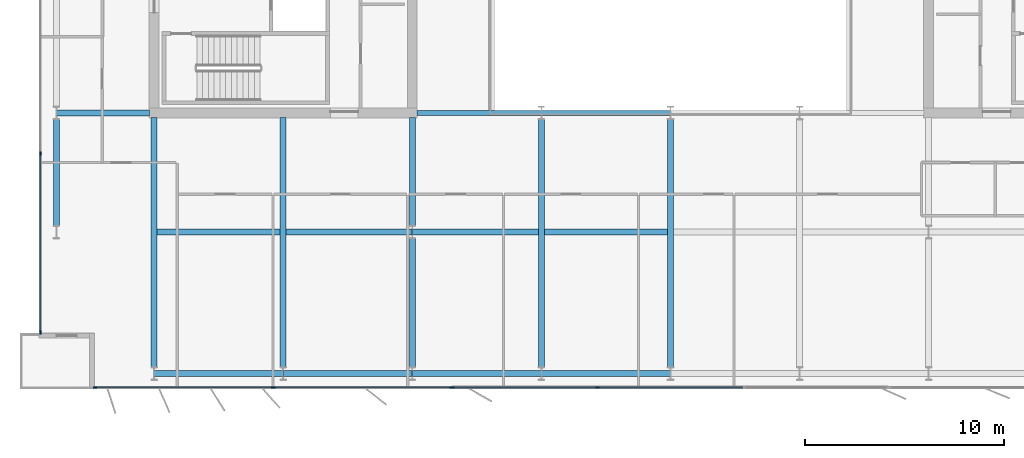
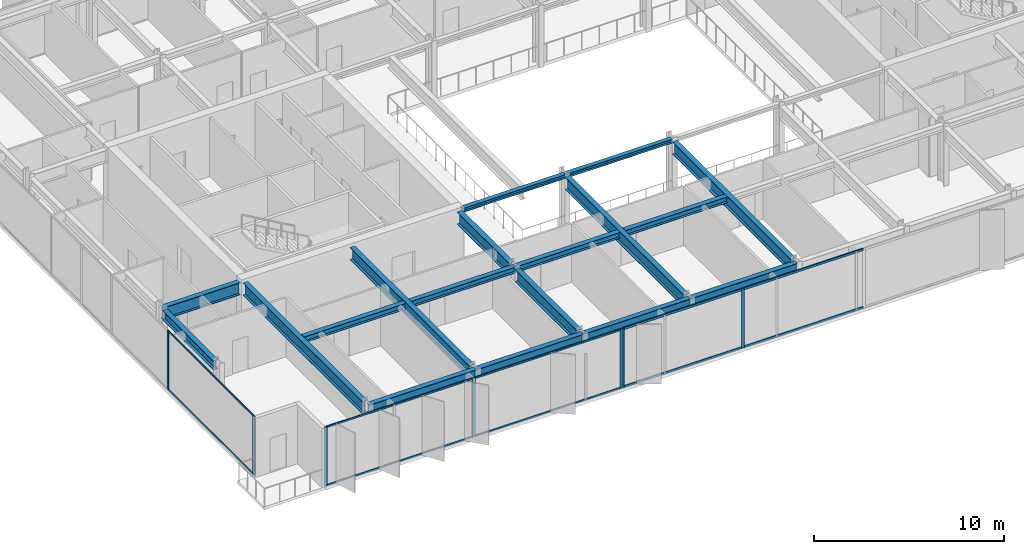
# One storey, part 4 of 20: 18 beams, 17 members, 3 elements without a shape of their own.
"""IFC4 building model written with IfcOpenShell, lengths in metres."""

from ifc_helpers import new_model, si_unit, direction, frame, origin, origin_2d, place, context, subcontext, project, spatial, rectangle, i_section, extrude, material, layer, layer_set, material_profile, profile_set, type_object, element, aggregate, save


model = new_model("IFC4")

# Units and contexts
model_context = context("Model", 3, precision=1e-05, world=origin(), true_north=direction((0.0, 1.0)))
body_context = subcontext(model_context, "Body", "Model", "MODEL_VIEW")
ifc_project = project(units=[si_unit("LENGTHUNIT", "METRE"), si_unit("AREAUNIT", "SQUARE_METRE"), si_unit("VOLUMEUNIT", "CUBIC_METRE"), si_unit("PLANEANGLEUNIT", "RADIAN"), si_unit("MASSUNIT", "GRAM", prefix="KILO")], contexts=[model_context])

# Site, building, storey
site_placement = place(None, origin())
site = spatial("IfcSite", under=ifc_project, at=site_placement, CompositionType="ELEMENT")
building_placement = place(site_placement, origin())
building = spatial("IfcBuilding", under=site, at=building_placement, Name="Putna Gate Headquarters", CompositionType="ELEMENT")
storey_placement = place(building_placement, frame((0.0, 0.0, 294.39990234375)))
storey = spatial("IfcBuildingStorey", under=building, at=storey_placement, Name="L74", CompositionType="ELEMENT", Elevation=294.39990234375)

# Beams
ifc_material_1 = material(Name="Steel S355J2", Category="steel")
ifc_material_profile_1 = material_profile(ifc_material_1, i_section(OverallWidth=0.260009765625, OverallDepth=0.260009765625, WebThickness=0.010009765625, FlangeThickness=0.017578125, at=origin_2d()), Name="Steel S355J2")
ifc_profile_set_1 = profile_set([ifc_material_profile_1], Name="Steel S355J2")
beam_type_1 = type_object("IfcBeamType", Name="BM-ATRIUM-HEB260", PredefinedType="BEAM", material=ifc_profile_set_1)
beam_1_placement = place(storey_placement, frame((26.235107421875, 19.0, 3.658203125), z_axis=(1.0, 0.0, 0.0), x_axis=(0.0, 1.0, 0.0)))
element("IfcBeam", 1, at=beam_1_placement, inside=storey, type_object=beam_type_1, Name="L74 Atrium Edge Beam AS1", PredefinedType="BEAM", context=body_context, shape_type="SweptSolid", body=[
    extrude(i_section(OverallWidth=0.260009765625, OverallDepth=0.260009765625, WebThickness=0.010009765625, FlangeThickness=0.017578125, at=origin_2d()), origin(), (0.0, 0.0, 1.0), 6.2587890625),
])
beam_2_placement = place(storey_placement, frame((32.506103515625, 19.0, 3.658203125), z_axis=(1.0, 0.0, 0.0), x_axis=(0.0, 1.0, 0.0)))
element("IfcBeam", 2, at=beam_2_placement, inside=storey, type_object=beam_type_1, Name="L74 Atrium Edge Beam AS2", PredefinedType="BEAM", context=body_context, shape_type="SweptSolid", body=[
    extrude(i_section(OverallWidth=0.260009765625, OverallDepth=0.260009765625, WebThickness=0.010009765625, FlangeThickness=0.017578125, at=origin_2d()), origin(), (0.0, 0.0, 1.0), 6.48779296875),
])
ifc_material_profile_2 = material_profile(ifc_material_1, i_section(OverallWidth=0.300048828125, OverallDepth=0.800048828125, WebThickness=0.017578125, FlangeThickness=0.032958984375, at=origin_2d()), Name="Steel S355J2")
ifc_profile_set_2 = profile_set([ifc_material_profile_2], Name="Steel S355J2")
beam_type_2 = type_object("IfcBeamType", Name="BM-GIRD-P-HEB800", PredefinedType="USERDEFINED", material=ifc_profile_set_2)
beam_3_placement = place(storey_placement, frame((8.0859375, 19.0, 3.38818359375), z_axis=(1.0, 0.0, 0.0), x_axis=(0.0, 1.0, 0.0)))
element("IfcBeam", 3, at=beam_3_placement, inside=storey, type_object=beam_type_2, Name="L74 West Wing Girder Y19", ObjectType="GIRDER", PredefinedType="USERDEFINED", context=body_context, shape_type="SweptSolid", body=[
    extrude(i_section(OverallWidth=0.300048828125, OverallDepth=0.800048828125, WebThickness=0.017578125, FlangeThickness=0.032958984375, at=origin_2d()), origin(), (0.0, 0.0, 1.0), 4.678955078125),
])
for number, where, z_axis, x_axis, name in (
    (4, (13.0, 6.201904296875, 3.38818359375), (0.0, 1.0, 0.0), (-1.0, 0.0, 0.0), "L74 South Primary Girder X13"),
    (5, (19.5, 6.201904296875, 3.38818359375), (0.0, 1.0, 0.0), (-1.0, 0.0, 0.0), "L74 South Primary Girder X19"),
):
    element("IfcBeam", number, at=place(storey_placement, frame(where, z_axis=z_axis, x_axis=x_axis)), inside=storey, type_object=beam_type_2, Name=name, ObjectType="GIRDER", PredefinedType="USERDEFINED", context=body_context, shape_type="SweptSolid", body=[
        extrude(i_section(OverallWidth=0.300048828125, OverallDepth=0.800048828125, WebThickness=0.017578125, FlangeThickness=0.032958984375, at=origin_2d()), origin(), (0.0, 0.0, 1.0), 12.56298828125),
    ])
beam_4_placement = place(storey_placement, frame((26.0, 6.201904296875, 3.38818359375), z_axis=(0.0, 1.0, 0.0), x_axis=(-1.0, 0.0, 0.0)))
element("IfcBeam", 6, at=beam_4_placement, inside=storey, type_object=beam_type_2, Name="L74 South Primary Girder X26-1", ObjectType="GIRDER", PredefinedType="USERDEFINED", context=body_context, shape_type="SweptSolid", body=[
    extrude(i_section(OverallWidth=0.300048828125, OverallDepth=0.800048828125, WebThickness=0.017578125, FlangeThickness=0.032958984375, at=origin_2d()), origin(), (0.0, 0.0, 1.0), 6.47607421875),
])
beam_5_placement = place(storey_placement, frame((26.0, 13.322021484375, 3.38818359375), z_axis=(0.0, 1.0, 0.0), x_axis=(-1.0, 0.0, 0.0)))
element("IfcBeam", 7, at=beam_5_placement, inside=storey, type_object=beam_type_2, Name="L74 South Primary Girder X26-2", ObjectType="GIRDER", PredefinedType="USERDEFINED", context=body_context, shape_type="SweptSolid", body=[
    extrude(i_section(OverallWidth=0.300048828125, OverallDepth=0.800048828125, WebThickness=0.017578125, FlangeThickness=0.032958984375, at=origin_2d()), origin(), (0.0, 0.0, 1.0), 5.44287109375),
])
for number, where, z_axis, x_axis, name in (
    (8, (32.5, 6.201904296875, 3.38818359375), (0.0, 1.0, 0.0), (-1.0, 0.0, 0.0), "L74 South Primary Girder X32"),
    (9, (39.0, 6.201904296875, 3.38818359375), (0.0, 1.0, 0.0), (-1.0, 0.0, 0.0), "L74 South Primary Girder X39"),
):
    element("IfcBeam", number, at=place(storey_placement, frame(where, z_axis=z_axis, x_axis=x_axis)), inside=storey, type_object=beam_type_2, Name=name, ObjectType="GIRDER", PredefinedType="USERDEFINED", context=body_context, shape_type="SweptSolid", body=[
        extrude(i_section(OverallWidth=0.300048828125, OverallDepth=0.800048828125, WebThickness=0.017578125, FlangeThickness=0.032958984375, at=origin_2d()), origin(), (0.0, 0.0, 1.0), 12.47607421875),
    ])
ifc_material_profile_3 = material_profile(ifc_material_1, i_section(OverallWidth=0.300048828125, OverallDepth=0.389892578125, WebThickness=0.010986328125, FlangeThickness=0.01904296875, at=origin_2d()), Name="Steel S355J2")
ifc_profile_set_3 = profile_set([ifc_material_profile_3], Name="Steel S355J2")
beam_type_3 = type_object("IfcBeamType", Name="BM-SEC-Z5-HEA400", PredefinedType="BEAM", material=ifc_profile_set_3)
beam_6_placement = place(storey_placement, frame((13.154052734375, 13.0, 3.593017578125), z_axis=(1.0, 0.0, 0.0), x_axis=(0.0, 1.0, 0.0)))
element("IfcBeam", 10, at=beam_6_placement, inside=storey, type_object=beam_type_3, Name="L74 South Secondary Beam 1", PredefinedType="BEAM", context=body_context, shape_type="SweptSolid", body=[
    extrude(i_section(OverallWidth=0.300048828125, OverallDepth=0.389892578125, WebThickness=0.010986328125, FlangeThickness=0.01904296875, at=origin_2d()), origin(), (0.0, 0.0, 1.0), 6.19189453125),
])
for number, where, z_axis, x_axis, name in (
    (11, (19.654052734375, 13.0, 3.593017578125), (1.0, 0.0, 0.0), (0.0, 1.0, 0.0), "L74 South Secondary Beam 2"),
    (12, (26.006103515625, 13.0, 3.593017578125), (1.0, 0.0, 0.0), (0.0, 1.0, 0.0), "L74 South Secondary Beam 3"),
):
    element("IfcBeam", number, at=place(storey_placement, frame(where, z_axis=z_axis, x_axis=x_axis)), inside=storey, type_object=beam_type_3, Name=name, PredefinedType="BEAM", context=body_context, shape_type="SweptSolid", body=[
        extrude(i_section(OverallWidth=0.300048828125, OverallDepth=0.389892578125, WebThickness=0.010986328125, FlangeThickness=0.01904296875, at=origin_2d()), origin(), (0.0, 0.0, 1.0), 6.33984375),
    ])
beam_7_placement = place(storey_placement, frame((32.654052734375, 13.0, 3.593017578125), z_axis=(1.0, 0.0, 0.0), x_axis=(0.0, 1.0, 0.0)))
element("IfcBeam", 13, at=beam_7_placement, inside=storey, type_object=beam_type_3, Name="L74 South Secondary Beam 4", PredefinedType="BEAM", context=body_context, shape_type="SweptSolid", body=[
    extrude(i_section(OverallWidth=0.300048828125, OverallDepth=0.389892578125, WebThickness=0.010986328125, FlangeThickness=0.01904296875, at=origin_2d()), origin(), (0.0, 0.0, 1.0), 6.19189453125),
])
ifc_material_profile_4 = material_profile(ifc_material_1, i_section(OverallWidth=0.300048828125, OverallDepth=0.590087890625, WebThickness=0.012939453125, FlangeThickness=0.02490234375, at=origin_2d()), Name="Steel S355J2")
ifc_profile_set_4 = profile_set([ifc_material_profile_4], Name="Steel S355J2")
beam_type_4 = type_object("IfcBeamType", Name="BM-SPAN-Z4-HEA600", PredefinedType="SPANDREL", material=ifc_profile_set_4)
for number, where, z_axis, x_axis, name in (
    (14, (13.006103515625, 5.8798828125, 3.4931640625), (1.0, 0.0, 0.0), (0.0, 1.0, 0.0), "L74 S Perimeter Spandrel 1"),
    (15, (19.506103515625, 5.8798828125, 3.4931640625), (1.0, 0.0, 0.0), (0.0, 1.0, 0.0), "L74 S Perimeter Spandrel 2"),
    (16, (26.006103515625, 5.8798828125, 3.4931640625), (1.0, 0.0, 0.0), (0.0, 1.0, 0.0), "L74 S Perimeter Spandrel 3"),
    (17, (32.506103515625, 5.8798828125, 3.4931640625), (1.0, 0.0, 0.0), (0.0, 1.0, 0.0), "L74 S Perimeter Spandrel 4"),
):
    element("IfcBeam", number, at=place(storey_placement, frame(where, z_axis=z_axis, x_axis=x_axis)), inside=storey, type_object=beam_type_4, Name=name, PredefinedType="SPANDREL", context=body_context, shape_type="SweptSolid", body=[
        extrude(i_section(OverallWidth=0.300048828125, OverallDepth=0.590087890625, WebThickness=0.012939453125, FlangeThickness=0.02490234375, at=origin_2d()), origin(), (0.0, 0.0, 1.0), 6.48779296875),
    ])
beam_8_placement = place(storey_placement, frame((8.080078125, 13.322021484375, 3.4931640625), z_axis=(0.0, 1.0, 0.0), x_axis=(-1.0, 0.0, 0.0)))
element("IfcBeam", 18, at=beam_8_placement, inside=storey, type_object=beam_type_4, Name="L74 W End Spandrel 1", PredefinedType="SPANDREL", context=body_context, shape_type="SweptSolid", body=[
    extrude(i_section(OverallWidth=0.300048828125, OverallDepth=0.590087890625, WebThickness=0.012939453125, FlangeThickness=0.02490234375, at=origin_2d()), origin(), (0.0, 0.0, 1.0), 5.35595703125),
])

# Curtain wall, members
ifc_material_2 = material(Name="Anodised bronze aluminium curtain wall", Category="aluminium")
ifc_layer_1 = layer(ifc_material_2, 0.179931640625)
ifc_layer_set_1 = layer_set([ifc_layer_1], Name="Anodised bronze aluminium curtain wall")
curtain_wall_type_1 = type_object("IfcCurtainWallType", Name="CW-SYS-Z5", PredefinedType="USERDEFINED", material=ifc_layer_set_1)
curtain_wall_1_placement = place(storey_placement, origin())
curtain_wall_1 = element("IfcCurtainWall", 19, at=curtain_wall_1_placement, inside=storey, type_object=curtain_wall_type_1, Name="L74 South West Curtain Wall", ObjectType="STICK CURTAIN WALL", PredefinedType="USERDEFINED")
ifc_material_3 = material(Name="Anodised bronze aluminium EN AW-6060", Category="aluminium")
ifc_material_profile_5 = material_profile(ifc_material_3, rectangle(XDim=0.070068359375, YDim=0.179931640625, at=origin_2d()), Name="Anodised bronze aluminium EN AW-6060")
ifc_profile_set_5 = profile_set([ifc_material_profile_5], Name="Anodised bronze aluminium EN AW-6060")
member_type_1 = type_object("IfcMemberType", Name="MULL-CWM-5", PredefinedType="MULLION", material=ifc_profile_set_5)
member_1_placement = place(storey_placement, frame((10.034912109375, 5.179931640625, 0.0), z_axis=(0.0, 0.0, 1.0), x_axis=(0.0, 1.0, 0.0)))
member_1 = element("IfcMember", 20, at=member_1_placement, type_object=member_type_1, Name="CWS-5 mullion 1", PredefinedType="MULLION", context=body_context, shape_type="SweptSolid", body=[
    extrude(rectangle(XDim=0.070068359375, YDim=0.179931640625, at=origin_2d()), origin(), (0.0, 0.0, 1.0), 3.7880859375),
])
member_2_placement = place(storey_placement, frame((19.0, 5.179931640625, 0.0), z_axis=(0.0, 0.0, 1.0), x_axis=(0.0, 1.0, 0.0)))
member_2 = element("IfcMember", 21, at=member_2_placement, type_object=member_type_1, Name="CWS-5 mullion 2", PredefinedType="MULLION", context=body_context, shape_type="SweptSolid", body=[
    extrude(rectangle(XDim=0.070068359375, YDim=0.179931640625, at=origin_2d()), origin(), (0.0, 0.0, 1.0), 3.7880859375),
])
member_3_placement = place(storey_placement, frame((27.965087890625, 5.179931640625, 0.0), z_axis=(0.0, 0.0, 1.0), x_axis=(0.0, 1.0, 0.0)))
member_3 = element("IfcMember", 22, at=member_3_placement, type_object=member_type_1, Name="CWS-5 mullion 3", PredefinedType="MULLION", context=body_context, shape_type="SweptSolid", body=[
    extrude(rectangle(XDim=0.070068359375, YDim=0.179931640625, at=origin_2d()), origin(), (0.0, 0.0, 1.0), 3.7880859375),
])

curtain_wall_2_placement = place(storey_placement, origin())
curtain_wall_2 = element("IfcCurtainWall", 23, at=curtain_wall_2_placement, inside=storey, type_object=curtain_wall_type_1, Name="L74 West Curtain Wall", ObjectType="STICK CURTAIN WALL", PredefinedType="USERDEFINED")
member_4_placement = place(storey_placement, frame((7.280029296875, 7.93505859375, 0.0), z_axis=(0.0, 0.0, 1.0), x_axis=(-1.0, 0.0, 0.0)))
member_4 = element("IfcMember", 24, at=member_4_placement, type_object=member_type_1, Name="CWS-5 mullion 1", PredefinedType="MULLION", context=body_context, shape_type="SweptSolid", body=[
    extrude(rectangle(XDim=0.070068359375, YDim=0.179931640625, at=origin_2d()), origin(), (0.0, 0.0, 1.0), 3.7880859375),
])
member_5_placement = place(storey_placement, frame((7.280029296875, 16.949951171875, 0.0), z_axis=(0.0, 0.0, 1.0), x_axis=(-1.0, 0.0, 0.0)))
member_5 = element("IfcMember", 25, at=member_5_placement, type_object=member_type_1, Name="CWS-5 mullion 2", PredefinedType="MULLION", context=body_context, shape_type="SweptSolid", body=[
    extrude(rectangle(XDim=0.070068359375, YDim=0.179931640625, at=origin_2d()), origin(), (0.0, 0.0, 1.0), 3.7880859375),
])

ifc_layer_2 = layer(ifc_material_2, 0.179931640625)
ifc_layer_set_2 = layer_set([ifc_layer_2], Name="Anodised bronze aluminium curtain wall")
curtain_wall_type_2 = type_object("IfcCurtainWallType", Name="CW-SYS-ATR", PredefinedType="USERDEFINED", material=ifc_layer_set_2)
curtain_wall_3_placement = place(storey_placement, origin())
curtain_wall_3 = element("IfcCurtainWall", 26, at=curtain_wall_3_placement, inside=storey, type_object=curtain_wall_type_2, Name="L74 South Atrium Clear Glazing", ObjectType="ATRIUM GLAZING", PredefinedType="USERDEFINED")
ifc_material_profile_6 = material_profile(ifc_material_3, rectangle(XDim=0.070068359375, YDim=0.179931640625, at=origin_2d()), Name="Anodised bronze aluminium EN AW-6060")
ifc_profile_set_6 = profile_set([ifc_material_profile_6], Name="Anodised bronze aluminium EN AW-6060")
member_type_2 = type_object("IfcMemberType", Name="MULL-CWM-AT", PredefinedType="MULLION", material=ifc_profile_set_6)
member_6_placement = place(storey_placement, frame((28.034912109375, 5.179931640625, 0.0), z_axis=(0.0, 0.0, 1.0), x_axis=(0.0, 1.0, 0.0)))
member_6 = element("IfcMember", 27, at=member_6_placement, type_object=member_type_2, Name="CWS-AT mullion 1", PredefinedType="MULLION", context=body_context, shape_type="SweptSolid", body=[
    extrude(rectangle(XDim=0.070068359375, YDim=0.179931640625, at=origin_2d()), origin(), (0.0, 0.0, 1.0), 3.7880859375),
])
member_7_placement = place(storey_placement, frame((35.333251953125, 5.179931640625, 0.0), z_axis=(0.0, 0.0, 1.0), x_axis=(0.0, 1.0, 0.0)))
member_7 = element("IfcMember", 28, at=member_7_placement, type_object=member_type_2, Name="CWS-AT mullion 2", PredefinedType="MULLION", context=body_context, shape_type="SweptSolid", body=[
    extrude(rectangle(XDim=0.070068359375, YDim=0.179931640625, at=origin_2d()), origin(), (0.0, 0.0, 1.0), 3.7880859375),
])

# Member
ifc_material_profile_7 = material_profile(ifc_material_3, rectangle(XDim=0.06005859375, YDim=0.10009765625, at=origin_2d()), Name="Anodised bronze aluminium EN AW-6060")
ifc_profile_set_7 = profile_set([ifc_material_profile_7], Name="Anodised bronze aluminium EN AW-6060")
member_type_3 = type_object("IfcMemberType", Name="TRAN-CWT-5", PredefinedType="USERDEFINED", material=ifc_profile_set_7)
member_8_placement = place(storey_placement, frame((10.070068359375, 5.179931640625, 0.030029296875), z_axis=(1.0, 0.0, 0.0), x_axis=(0.0, 1.0, 0.0)))
member_8 = element("IfcMember", 29, at=member_8_placement, type_object=member_type_3, Name="CWS-5 transom 1.1", ObjectType="TRANSOM", PredefinedType="USERDEFINED", context=body_context, shape_type="SweptSolid", body=[
    extrude(rectangle(XDim=0.06005859375, YDim=0.10009765625, at=origin_2d()), origin(), (0.0, 0.0, 1.0), 8.89501953125),
])

member_9_placement = place(storey_placement, frame((10.070068359375, 5.179931640625, 3.758056640625), z_axis=(1.0, 0.0, 0.0), x_axis=(0.0, 1.0, 0.0)))
member_9 = element("IfcMember", 30, at=member_9_placement, type_object=member_type_3, Name="CWS-5 transom 1.2", ObjectType="TRANSOM", PredefinedType="USERDEFINED", context=body_context, shape_type="SweptSolid", body=[
    extrude(rectangle(XDim=0.06005859375, YDim=0.10009765625, at=origin_2d()), origin(), (0.0, 0.0, 1.0), 8.89501953125),
])

member_10_placement = place(storey_placement, frame((19.034912109375, 5.179931640625, 0.030029296875), z_axis=(1.0, 0.0, 0.0), x_axis=(0.0, 1.0, 0.0)))
member_10 = element("IfcMember", 31, at=member_10_placement, type_object=member_type_3, Name="CWS-5 transom 2.1", ObjectType="TRANSOM", PredefinedType="USERDEFINED", context=body_context, shape_type="SweptSolid", body=[
    extrude(rectangle(XDim=0.06005859375, YDim=0.10009765625, at=origin_2d()), origin(), (0.0, 0.0, 1.0), 8.89501953125),
])

member_11_placement = place(storey_placement, frame((19.034912109375, 5.179931640625, 3.758056640625), z_axis=(1.0, 0.0, 0.0), x_axis=(0.0, 1.0, 0.0)))
member_11 = element("IfcMember", 32, at=member_11_placement, type_object=member_type_3, Name="CWS-5 transom 2.2", ObjectType="TRANSOM", PredefinedType="USERDEFINED", context=body_context, shape_type="SweptSolid", body=[
    extrude(rectangle(XDim=0.06005859375, YDim=0.10009765625, at=origin_2d()), origin(), (0.0, 0.0, 1.0), 8.89501953125),
])

aggregate(curtain_wall_1, [member_1, member_2, member_3, member_8, member_9, member_10, member_11])

member_12_placement = place(storey_placement, frame((7.280029296875, 7.969970703125, 0.030029296875), z_axis=(0.0, 1.0, 0.0), x_axis=(-1.0, 0.0, 0.0)))
member_12 = element("IfcMember", 33, at=member_12_placement, type_object=member_type_3, Name="CWS-5 transom 1.1", ObjectType="TRANSOM", PredefinedType="USERDEFINED", context=body_context, shape_type="SweptSolid", body=[
    extrude(rectangle(XDim=0.06005859375, YDim=0.10009765625, at=origin_2d()), origin(), (0.0, 0.0, 1.0), 8.945068359375),
])

member_13_placement = place(storey_placement, frame((7.280029296875, 7.969970703125, 3.758056640625), z_axis=(0.0, 1.0, 0.0), x_axis=(-1.0, 0.0, 0.0)))
member_13 = element("IfcMember", 34, at=member_13_placement, type_object=member_type_3, Name="CWS-5 transom 1.2", ObjectType="TRANSOM", PredefinedType="USERDEFINED", context=body_context, shape_type="SweptSolid", body=[
    extrude(rectangle(XDim=0.06005859375, YDim=0.10009765625, at=origin_2d()), origin(), (0.0, 0.0, 1.0), 8.945068359375),
])

aggregate(curtain_wall_2, [member_4, member_5, member_12, member_13])

ifc_material_profile_8 = material_profile(ifc_material_3, rectangle(XDim=0.070068359375, YDim=0.139892578125, at=origin_2d()), Name="Anodised bronze aluminium EN AW-6060")
ifc_profile_set_8 = profile_set([ifc_material_profile_8], Name="Anodised bronze aluminium EN AW-6060")
member_type_4 = type_object("IfcMemberType", Name="TRAN-CWT-AT", PredefinedType="USERDEFINED", material=ifc_profile_set_8)
member_14_placement = place(storey_placement, frame((28.070068359375, 5.179931640625, 0.03515625), z_axis=(1.0, 0.0, 0.0), x_axis=(0.0, 1.0, 0.0)))
member_14 = element("IfcMember", 35, at=member_14_placement, type_object=member_type_4, Name="CWS-AT transom 1.1", ObjectType="TRANSOM", PredefinedType="USERDEFINED", context=body_context, shape_type="SweptSolid", body=[
    extrude(rectangle(XDim=0.070068359375, YDim=0.139892578125, at=origin_2d()), origin(), (0.0, 0.0, 1.0), 7.228271484375),
])

member_15_placement = place(storey_placement, frame((28.070068359375, 5.179931640625, 3.753173828125), z_axis=(1.0, 0.0, 0.0), x_axis=(0.0, 1.0, 0.0)))
member_15 = element("IfcMember", 36, at=member_15_placement, type_object=member_type_4, Name="CWS-AT transom 1.2", ObjectType="TRANSOM", PredefinedType="USERDEFINED", context=body_context, shape_type="SweptSolid", body=[
    extrude(rectangle(XDim=0.070068359375, YDim=0.139892578125, at=origin_2d()), origin(), (0.0, 0.0, 1.0), 7.228271484375),
])

member_16_placement = place(storey_placement, frame((35.368408203125, 5.179931640625, 0.03515625), z_axis=(1.0, 0.0, 0.0), x_axis=(0.0, 1.0, 0.0)))
member_16 = element("IfcMember", 37, at=member_16_placement, type_object=member_type_4, Name="CWS-AT transom 2.1", ObjectType="TRANSOM", PredefinedType="USERDEFINED", context=body_context, shape_type="SweptSolid", body=[
    extrude(rectangle(XDim=0.070068359375, YDim=0.139892578125, at=origin_2d()), origin(), (0.0, 0.0, 1.0), 7.26318359375),
])

member_17_placement = place(storey_placement, frame((35.368408203125, 5.179931640625, 3.753173828125), z_axis=(1.0, 0.0, 0.0), x_axis=(0.0, 1.0, 0.0)))
member_17 = element("IfcMember", 38, at=member_17_placement, type_object=member_type_4, Name="CWS-AT transom 2.2", ObjectType="TRANSOM", PredefinedType="USERDEFINED", context=body_context, shape_type="SweptSolid", body=[
    extrude(rectangle(XDim=0.070068359375, YDim=0.139892578125, at=origin_2d()), origin(), (0.0, 0.0, 1.0), 7.26318359375),
])

aggregate(curtain_wall_3, [member_6, member_7, member_14, member_15, member_16, member_17])

save(model, "model.ifc")
